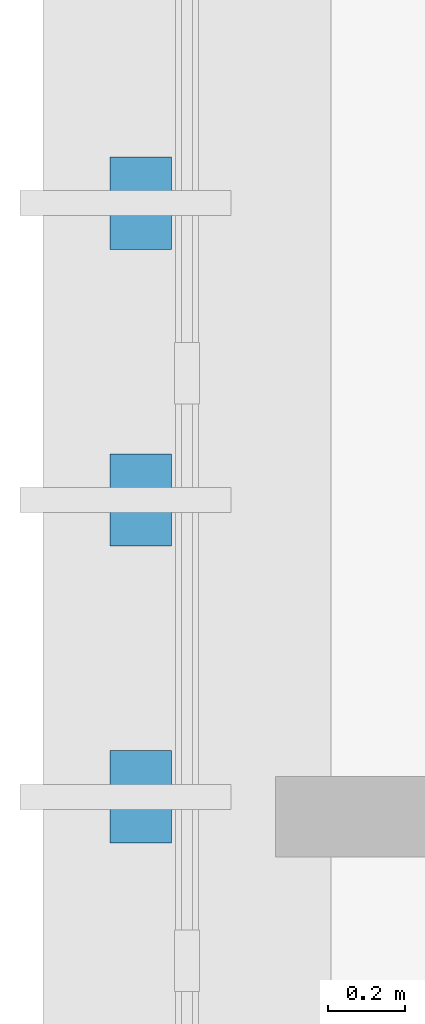
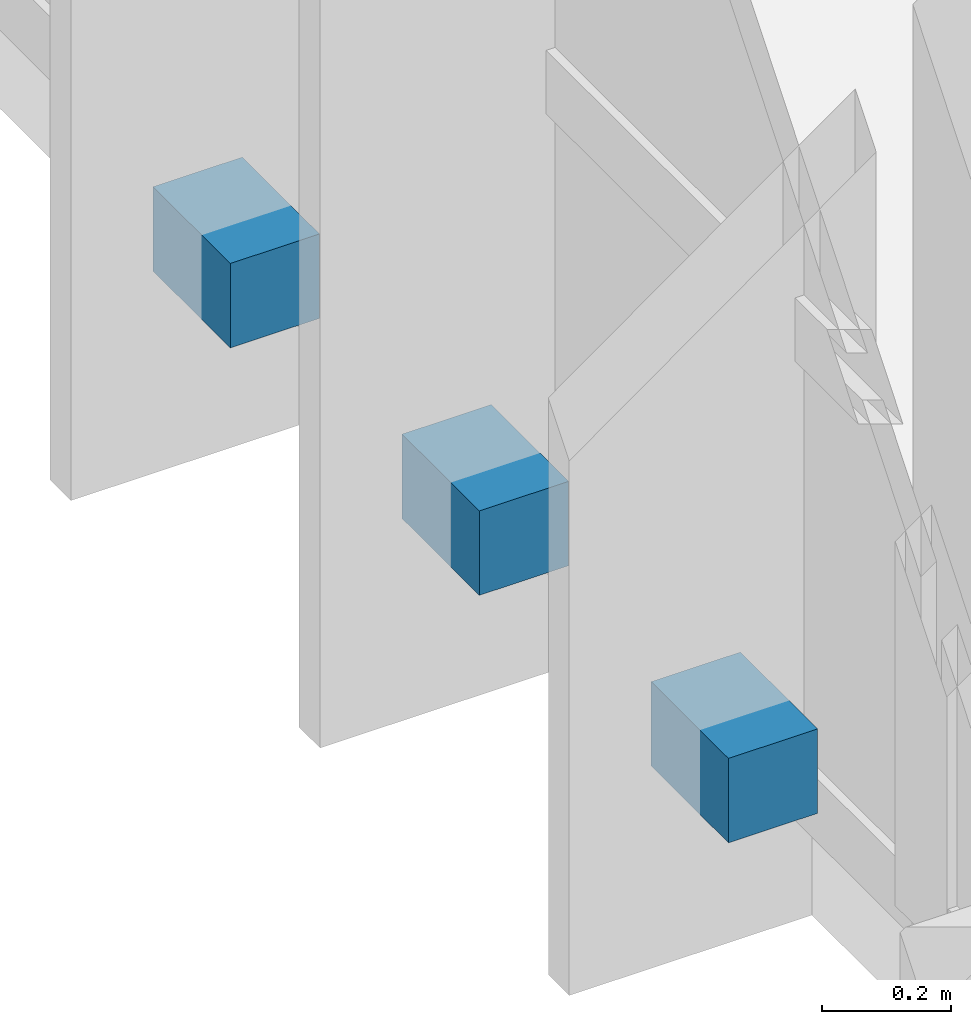
# One storey, part 6 of 8: 3 discrete accessories.
"""IFC4 building model written with IfcOpenShell, lengths in metres."""

from ifc_helpers import new_model, si_unit, direction, frame, origin, origin_2d, place, context, subcontext, project, spatial, rectangle, extrude, material, type_object, element, save


model = new_model("IFC4")

# Units and contexts
model_context = context("Model", 3, precision=1e-05, world=origin(), true_north=direction((0.0, 1.0)))
body_context = subcontext(model_context, "Body", "Model", "MODEL_VIEW")
ifc_project = project(units=[si_unit("LENGTHUNIT", "METRE"), si_unit("AREAUNIT", "SQUARE_METRE"), si_unit("VOLUMEUNIT", "CUBIC_METRE"), si_unit("PLANEANGLEUNIT", "RADIAN"), si_unit("MASSUNIT", "GRAM", prefix="KILO")], contexts=[model_context])

# Site, building, storey
site_placement = place(None, origin())
site = spatial("IfcSite", under=ifc_project, at=site_placement, CompositionType="ELEMENT")
building_placement = place(site_placement, origin())
building = spatial("IfcBuilding", under=site, at=building_placement, Name="Miralva Faculty of Natural Sciences", CompositionType="ELEMENT")
storey_placement = place(building_placement, frame((0.0, 0.0, 36.800048828125)))
storey = spatial("IfcBuildingStorey", under=building, at=storey_placement, Name="L08", CompositionType="ELEMENT", Elevation=36.800048828125)

# Discrete accessories
ifc_material = material(Name="Steel S355", Category="steel")
discrete_accessory_type = type_object("IfcDiscreteAccessoryType", Name="ACC-BRK01", PredefinedType="BRACKET", material=ifc_material)
for number, where, z_axis, x_axis, name in (
    (1, (2.8798828125, 20.4521484375, 0.0400390625), (0.0, 0.0, 1.0), (-1.0, 0.0, 0.0), "Solar fin bracket L08-465"),
    (2, (2.8798828125, 21.225341796875, 0.0400390625), (0.0, 0.0, 1.0), (-1.0, 0.0, 0.0), "Solar fin bracket L08-466"),
    (3, (2.8798828125, 21.998291015625, 0.0400390625), (0.0, 0.0, 1.0), (-1.0, 0.0, 0.0), "Solar fin bracket L08-467"),
):
    element("IfcDiscreteAccessory", number, at=place(storey_placement, frame(where, z_axis=z_axis, x_axis=x_axis)), inside=storey, type_object=discrete_accessory_type, Name=name, PredefinedType="BRACKET", context=body_context, shape_type="SweptSolid", body=[
        extrude(rectangle(XDim=0.159912109375, YDim=0.239990234375, at=origin_2d()), origin(), (0.0, 0.0, 1.0), 0.159912109375),
    ])

save(model, "model.ifc")
